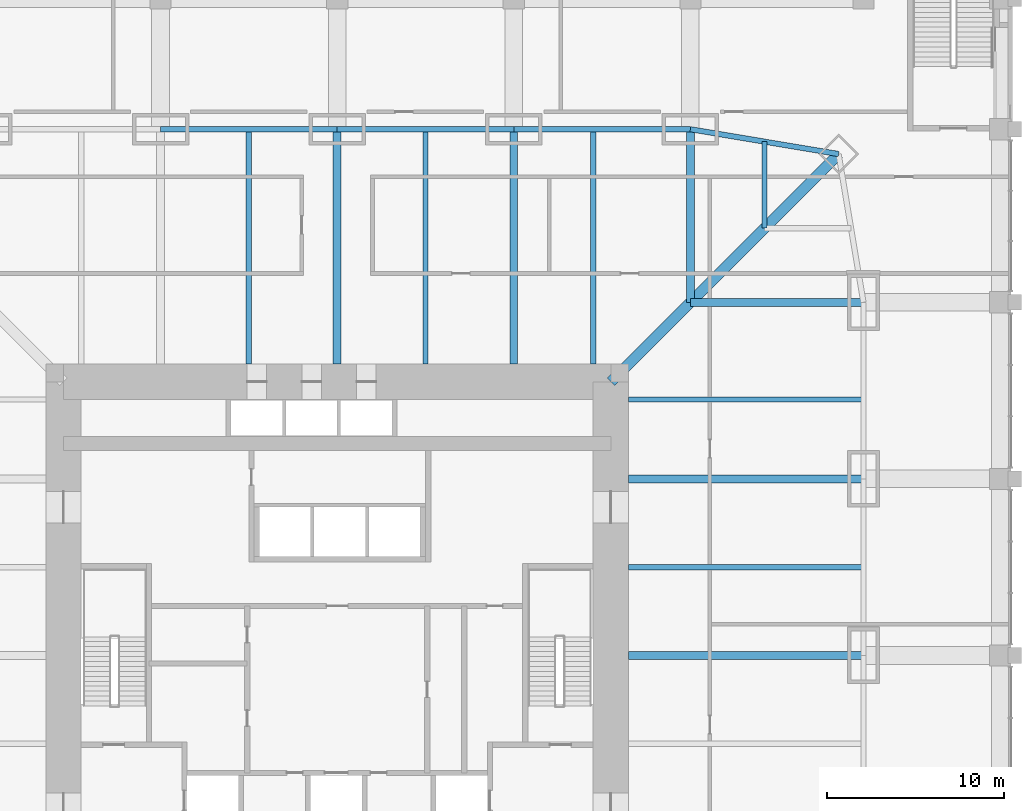
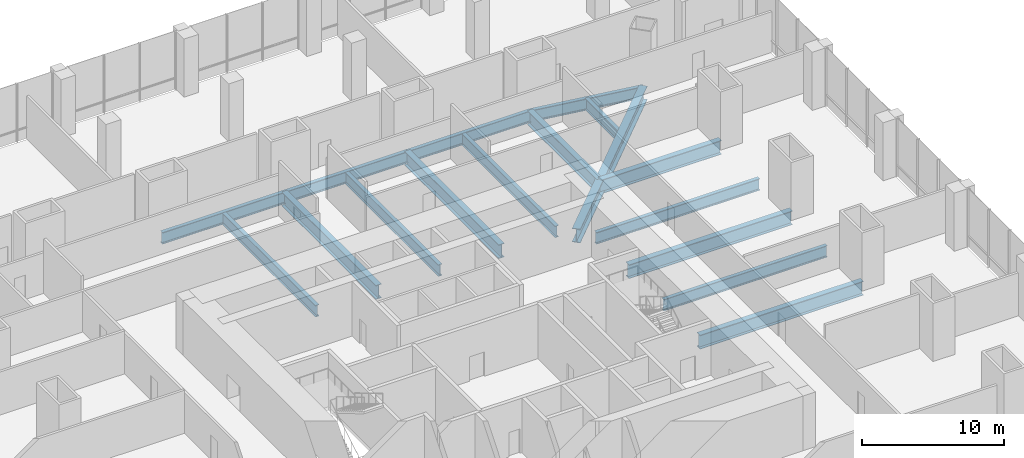
# One storey, part 7 of 24: 17 beams.
"""IFC4 building model written with IfcOpenShell, lengths in metres."""

from ifc_helpers import new_model, si_unit, direction, frame, origin, origin_2d, place, context, subcontext, project, spatial, i_section, extrude, material, material_profile, profile_set, type_object, element, save


model = new_model("IFC4")

# Units and contexts
model_context = context("Model", 3, precision=1e-05, world=origin(), true_north=direction((0.0, 1.0)))
body_context = subcontext(model_context, "Body", "Model", "MODEL_VIEW")
ifc_project = project(units=[si_unit("LENGTHUNIT", "METRE"), si_unit("AREAUNIT", "SQUARE_METRE"), si_unit("VOLUMEUNIT", "CUBIC_METRE"), si_unit("PLANEANGLEUNIT", "RADIAN"), si_unit("MASSUNIT", "GRAM", prefix="KILO")], contexts=[model_context])

# Site, building, storey
site_placement = place(None, origin())
site = spatial("IfcSite", under=ifc_project, at=site_placement, CompositionType="ELEMENT")
building_placement = place(site_placement, origin())
building = spatial("IfcBuilding", under=site, at=building_placement, Name="Khuree Lantern Residences", CompositionType="ELEMENT")
storey_placement = place(building_placement, frame((0.0, 0.0, 11.0)))
storey = spatial("IfcBuildingStorey", under=building, at=storey_placement, Name="L02", CompositionType="ELEMENT", Elevation=11.0)

# Beams
ifc_material = material(Name="Steel S355", Category="steel")
ifc_material_profile_1 = material_profile(ifc_material, i_section(OverallWidth=0.300048828125, OverallDepth=1.0, WebThickness=0.01904296875, FlangeThickness=0.035888671875, FilletRadius=0.030029296875, at=origin_2d()), Name="HE 1000 B")
ifc_profile_set_1 = profile_set([ifc_material_profile_1], Name="Steel S355")
beam_type_1 = type_object("IfcBeamType", Name="B-02 SECONDARY BEAM HE 1000 B", PredefinedType="BEAM", material=ifc_profile_set_1)
for number, where, z_axis, x_axis, name in (
    (1, (-5.0, 29.800048828125, -0.800048828125), (0.0, -1.0, 0.0), (1.0, 0.0, 0.0), "Secondary beam N2"),
    (2, (5.0, 29.800048828125, -0.800048828125), (0.0, -1.0, 0.0), (1.0, 0.0, 0.0), "Secondary beam N3"),
    (3, (14.5, 29.800048828125, -0.800048828125), (0.0, -1.0, 0.0), (1.0, 0.0, 0.0), "Secondary beam N4"),
):
    element("IfcBeam", number, at=place(storey_placement, frame(where, z_axis=z_axis, x_axis=x_axis)), inside=storey, type_object=beam_type_1, Name=name, PredefinedType="BEAM", context=body_context, shape_type="SweptSolid", body=[
        extrude(i_section(OverallWidth=0.300048828125, OverallDepth=1.0, WebThickness=0.01904296875, FlangeThickness=0.035888671875, FilletRadius=0.030029296875, at=origin_2d()), origin(), (0.0, 0.0, 1.0), 13.300048828125),
    ])
beam_1_placement = place(storey_placement, frame((24.197021484375, 29.09716796875, -0.800048828125), z_axis=(0.0, -1.0, 0.0), x_axis=(1.0, 0.0, 0.0)))
element("IfcBeam", 4, at=beam_1_placement, inside=storey, type_object=beam_type_1, Name="Secondary beam N5", PredefinedType="BEAM", context=body_context, shape_type="SweptSolid", body=[
    extrude(i_section(OverallWidth=0.300048828125, OverallDepth=1.0, WebThickness=0.01904296875, FlangeThickness=0.035888671875, FilletRadius=0.030029296875, at=origin_2d()), origin(), (0.0, 0.0, 1.0), 4.900146484375),
])
for number, where, z_axis, x_axis, name in (
    (5, (29.800048828125, 14.5, -0.800048828125), (-1.0, 0.0, 0.0), (0.0, -1.0, 0.0), "Secondary beam E2"),
    (6, (29.800048828125, 5.0, -0.800048828125), (-1.0, 0.0, 0.0), (0.0, -1.0, 0.0), "Secondary beam E3"),
):
    element("IfcBeam", number, at=place(storey_placement, frame(where, z_axis=z_axis, x_axis=x_axis)), inside=storey, type_object=beam_type_1, Name=name, PredefinedType="BEAM", context=body_context, shape_type="SweptSolid", body=[
        extrude(i_section(OverallWidth=0.300048828125, OverallDepth=1.0, WebThickness=0.01904296875, FlangeThickness=0.035888671875, FilletRadius=0.030029296875, at=origin_2d()), origin(), (0.0, 0.0, 1.0), 13.300048828125),
    ])
ifc_material_profile_2 = material_profile(ifc_material, i_section(OverallWidth=0.300048828125, OverallDepth=1.0, WebThickness=0.01904296875, FlangeThickness=0.035888671875, FilletRadius=0.030029296875, at=origin_2d()), Name="HE 1000 B")
ifc_profile_set_2 = profile_set([ifc_material_profile_2], Name="Steel S355")
beam_type_2 = type_object("IfcBeamType", Name="E-02 SPANDREL BEAM HE 1000 B", PredefinedType="SPANDREL", material=ifc_profile_set_2)
for number, where, z_axis, x_axis, name in (
    (7, (-10.0, 29.800048828125, -0.800048828125), (1.0, 0.0, 0.0), (0.0, 1.0, 0.0), "Spandrel beam N2"),
    (8, (0.0, 29.800048828125, -0.800048828125), (1.0, 0.0, 0.0), (0.0, 1.0, 0.0), "Spandrel beam N3"),
    (9, (10.0, 29.800048828125, -0.800048828125), (1.0, 0.0, 0.0), (0.0, 1.0, 0.0), "Spandrel beam N4"),
):
    element("IfcBeam", number, at=place(storey_placement, frame(where, z_axis=z_axis, x_axis=x_axis)), inside=storey, type_object=beam_type_2, Name=name, PredefinedType="SPANDREL", context=body_context, shape_type="SweptSolid", body=[
        extrude(i_section(OverallWidth=0.300048828125, OverallDepth=1.0, WebThickness=0.01904296875, FlangeThickness=0.035888671875, FilletRadius=0.030029296875, at=origin_2d()), origin(), (0.0, 0.0, 1.0), 10.0),
    ])
beam_2_placement = place(storey_placement, frame((20.0, 29.800048828125, -0.800048828125), z_axis=(0.986260251158, -0.165199022349, 0.0), x_axis=(0.165199022349, 0.986260251158, 0.0)))
element("IfcBeam", 10, at=beam_2_placement, inside=storey, type_object=beam_type_2, Name="Spandrel beam N5", PredefinedType="SPANDREL", context=body_context, shape_type="SweptSolid", body=[
    extrude(i_section(OverallWidth=0.300048828125, OverallDepth=1.0, WebThickness=0.01904296875, FlangeThickness=0.035888671875, FilletRadius=0.030029296875, at=origin_2d()), origin(), (0.0, 0.0, 1.0), 8.510986328125),
])
ifc_material_profile_3 = material_profile(ifc_material, i_section(OverallWidth=0.449951171875, OverallDepth=1.199951171875, WebThickness=0.02490234375, FlangeThickness=0.044921875, at=origin_2d()), Name="WELDED I 1200X450X25X45")
ifc_profile_set_3 = profile_set([ifc_material_profile_3], Name="Steel S355")
beam_type_3 = type_object("IfcBeamType", Name="G-02 GIRDER WELDED I 1200X450X25X45", PredefinedType="BEAM", material=ifc_profile_set_3)
for number, where, z_axis, x_axis, name in (
    (11, (0.0, 29.800048828125, -0.89990234375), (0.0, -1.0, 0.0), (1.0, 0.0, 0.0), "Girder N3"),
    (12, (10.0, 29.800048828125, -0.89990234375), (0.0, -1.0, 0.0), (1.0, 0.0, 0.0), "Girder N4"),
):
    element("IfcBeam", number, at=place(storey_placement, frame(where, z_axis=z_axis, x_axis=x_axis)), inside=storey, type_object=beam_type_3, Name=name, PredefinedType="BEAM", context=body_context, shape_type="SweptSolid", body=[
        extrude(i_section(OverallWidth=0.449951171875, OverallDepth=1.199951171875, WebThickness=0.02490234375, FlangeThickness=0.044921875, at=origin_2d()), origin(), (0.0, 0.0, 1.0), 13.300048828125),
    ])
for number, where, z_axis, x_axis, name in (
    (13, (20.0, 29.800048828125, -0.89990234375), (0.0, -1.0, 0.0), (1.0, 0.0, 0.0), "Girder N5"),
    (14, (29.800048828125, 20.0, -0.89990234375), (-1.0, 0.0, 0.0), (0.0, -1.0, 0.0), "Girder E1"),
):
    element("IfcBeam", number, at=place(storey_placement, frame(where, z_axis=z_axis, x_axis=x_axis)), inside=storey, type_object=beam_type_3, Name=name, PredefinedType="BEAM", context=body_context, shape_type="SweptSolid", body=[
        extrude(i_section(OverallWidth=0.449951171875, OverallDepth=1.199951171875, WebThickness=0.02490234375, FlangeThickness=0.044921875, at=origin_2d()), origin(), (0.0, 0.0, 1.0), 9.800048828125),
    ])
for number, where, z_axis, x_axis, name in (
    (15, (29.800048828125, 10.0, -0.89990234375), (-1.0, 0.0, 0.0), (0.0, -1.0, 0.0), "Girder E2"),
    (16, (29.800048828125, 0.0, -0.89990234375), (-1.0, 0.0, 0.0), (0.0, -1.0, 0.0), "Girder E3"),
):
    element("IfcBeam", number, at=place(storey_placement, frame(where, z_axis=z_axis, x_axis=x_axis)), inside=storey, type_object=beam_type_3, Name=name, PredefinedType="BEAM", context=body_context, shape_type="SweptSolid", body=[
        extrude(i_section(OverallWidth=0.449951171875, OverallDepth=1.199951171875, WebThickness=0.02490234375, FlangeThickness=0.044921875, at=origin_2d()), origin(), (0.0, 0.0, 1.0), 13.300048828125),
    ])
ifc_material_profile_4 = material_profile(ifc_material, i_section(OverallWidth=0.60009765625, OverallDepth=1.199951171875, WebThickness=0.030029296875, FlangeThickness=0.06005859375, at=origin_2d()), Name="WELDED I 1200X600X30X60")
ifc_profile_set_4 = profile_set([ifc_material_profile_4], Name="Steel S355")
beam_type_4 = type_object("IfcBeamType", Name="GD-02 CORNER GIRDER WELDED I 1200X600X30X60", PredefinedType="BEAM", material=ifc_profile_set_4)
beam_3_placement = place(storey_placement, frame((28.39404296875, 28.39404296875, -0.89990234375), z_axis=(-0.707106781187, -0.707106781187, 0.0), x_axis=(0.707106781187, -0.707106781187, 0.0)))
element("IfcBeam", 17, at=beam_3_placement, inside=storey, type_object=beam_type_4, Name="Corner girder NE", PredefinedType="BEAM", context=body_context, shape_type="SweptSolid", body=[
    extrude(i_section(OverallWidth=0.60009765625, OverallDepth=1.199951171875, WebThickness=0.030029296875, FlangeThickness=0.06005859375, at=origin_2d()), origin(), (0.0, 0.0, 1.0), 18.23486328125),
])

save(model, "model.ifc")
